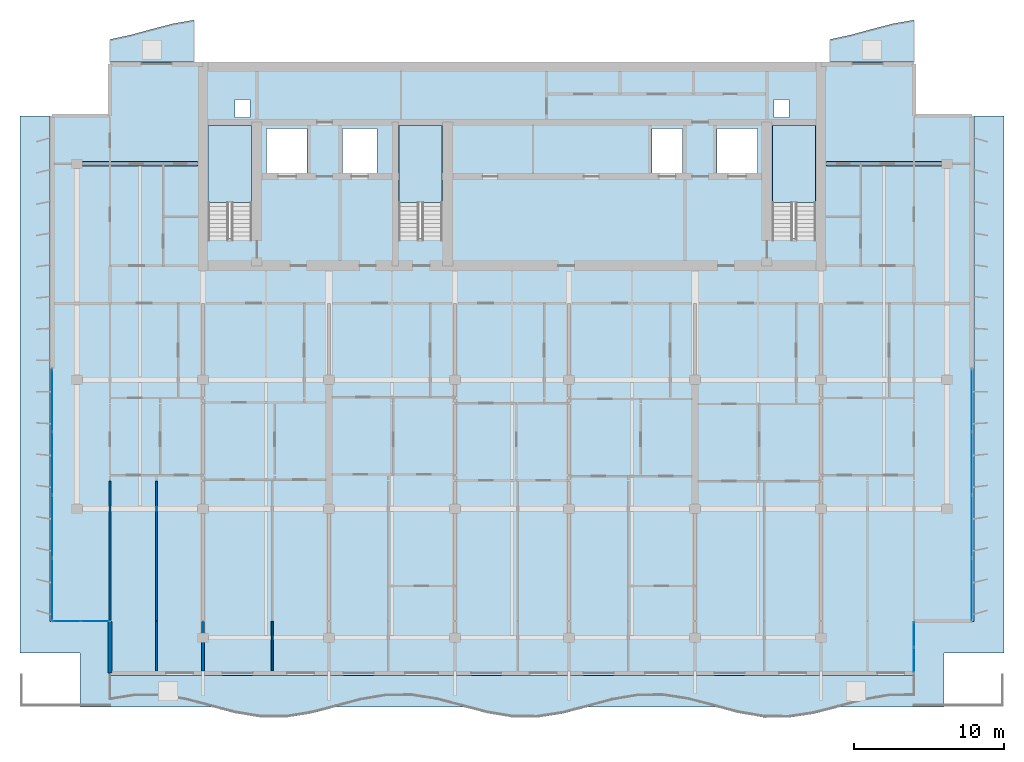
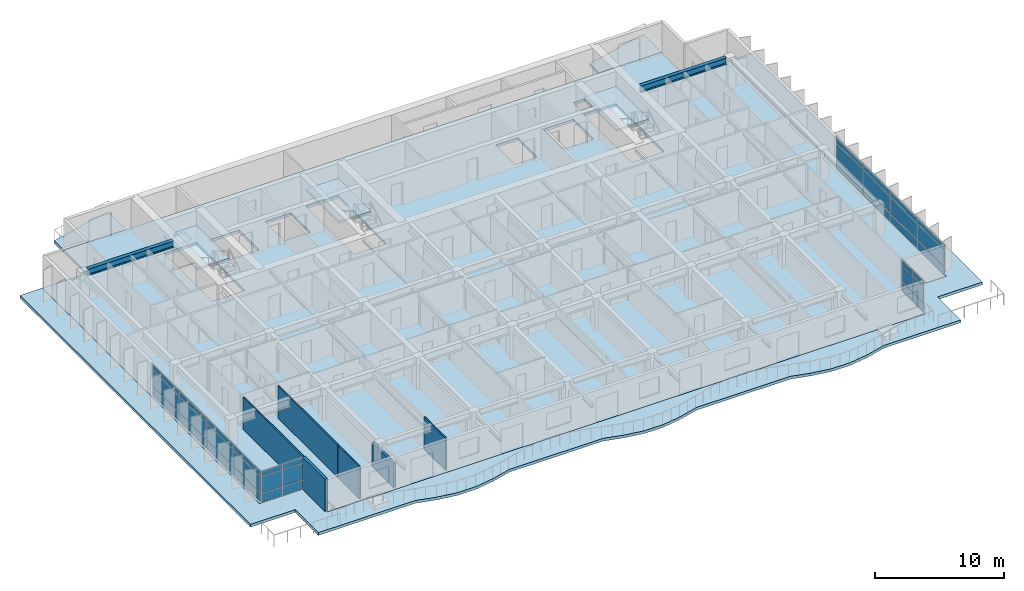
# One storey, part 5 of 17: 36 plates, 7 slabs, 6 walls, 2 beams, 7 elements without a shape of their own.
"""IFC4 building model written with IfcOpenShell, lengths in metres."""

from ifc_helpers import new_model, si_unit, direction, frame, frame_2d, origin, origin_2d, place, context, subcontext, project, spatial, polyline, rectangle, i_section, outline, extrude, material, layer, layer_set, material_profile, profile_set, type_object, element, aggregate, save


model = new_model("IFC4")

# Units and contexts
model_context = context("Model", 3, precision=1e-05, world=origin(), true_north=direction((0.0, 1.0)))
body_context = subcontext(model_context, "Body", "Model", "MODEL_VIEW")
ifc_project = project(units=[si_unit("LENGTHUNIT", "METRE"), si_unit("AREAUNIT", "SQUARE_METRE"), si_unit("VOLUMEUNIT", "CUBIC_METRE"), si_unit("PLANEANGLEUNIT", "RADIAN"), si_unit("MASSUNIT", "GRAM", prefix="KILO")], contexts=[model_context])

# Site, building, storey
site_placement = place(None, origin())
site = spatial("IfcSite", under=ifc_project, at=site_placement, CompositionType="ELEMENT")
building_placement = place(site_placement, origin())
building = spatial("IfcBuilding", under=site, at=building_placement, Name="Caelmar Bay Residences", CompositionType="ELEMENT")
storey_placement = place(building_placement, frame((0.0, 0.0, 226.5)))
storey = spatial("IfcBuildingStorey", under=building, at=storey_placement, Name="L63", CompositionType="ELEMENT", Elevation=226.5)

# Beams
ifc_material_1 = material(Name="Steel ASTM A992 Grade 50", Category="steel")
ifc_material_profile = material_profile(ifc_material_1, i_section(OverallWidth=0.324951171875, OverallDepth=0.616943359375, WebThickness=0.013916015625, FlangeThickness=0.021484375, FilletRadius=0.0126953125, at=origin_2d()), Name="W24X117")
ifc_profile_set = profile_set([ifc_material_profile], Name="Steel ASTM A992 Grade 50")
beam_type = type_object("IfcBeamType", Name="BM-SPN-W24X117", PredefinedType="SPANDREL", material=ifc_profile_set)
beam_1_placement = place(storey_placement, frame((10.264892578125, 43.800048828125, 2.741455078125), z_axis=(1.0, 0.0, 0.0), x_axis=(0.0, 1.0, 0.0)))
element("IfcBeam", 1, at=beam_1_placement, inside=storey, type_object=beam_type, Name="L63 North-West Wing Core Tie Girder", PredefinedType="SPANDREL", context=body_context, shape_type="SweptSolid", body=[
    extrude(i_section(OverallWidth=0.324951171875, OverallDepth=0.616943359375, WebThickness=0.013916015625, FlangeThickness=0.021484375, FilletRadius=0.0126953125, at=origin_2d()), origin(), (0.0, 0.0, 1.0), 7.68505859375),
])
beam_2_placement = place(storey_placement, frame((59.85009765625, 43.800048828125, 2.741455078125), z_axis=(1.0, 0.0, 0.0), x_axis=(0.0, 1.0, 0.0)))
element("IfcBeam", 2, at=beam_2_placement, inside=storey, type_object=beam_type, Name="L63 North-East Wing Core Tie Girder", PredefinedType="SPANDREL", context=body_context, shape_type="SweptSolid", body=[
    extrude(i_section(OverallWidth=0.324951171875, OverallDepth=0.616943359375, WebThickness=0.013916015625, FlangeThickness=0.021484375, FilletRadius=0.0126953125, at=origin_2d()), origin(), (0.0, 0.0, 1.0), 7.684814453125),
])

# Curtain wall, plates
ifc_material_2 = material(Name="Anodised bronze aluminium 6063-T6 and laminated glass", Category="aluminium")
ifc_layer_1 = layer(ifc_material_2, 0.179931640625)
ifc_layer_set_1 = layer_set([ifc_layer_1], Name="Anodised bronze aluminium 6063-T6 and laminated glass")
curtain_wall_type_1 = type_object("IfcCurtainWallType", Name="CW6-NTC", PredefinedType="NOTDEFINED", material=ifc_layer_set_1)
curtain_wall_1_placement = place(storey_placement, origin())
curtain_wall_1 = element("IfcCurtainWall", 3, at=curtain_wall_1_placement, inside=storey, type_object=curtain_wall_type_1, Name="CW6 curtain wall L63", PredefinedType="NOTDEFINED")
ifc_material_3 = material(Name="Bronze-tinted laminated low-E hurricane glass 28 mm", Category="glass")
ifc_layer_2 = layer(ifc_material_3, 0.028076171875)
ifc_layer_set_2 = layer_set([ifc_layer_2], Name="Bronze-tinted laminated low-E hurricane glass 28 mm")
plate_type_1 = type_object("IfcPlateType", Name="CWP-GLZ28", PredefinedType="CURTAIN_PANEL", material=ifc_layer_set_2)
plate_1_placement = place(storey_placement, frame((9.232421875, 13.300048828125, 0.080078125), z_axis=(0.0, 0.0, 1.0), x_axis=(1.0, 0.0, 0.0)))
plate_1 = element("IfcPlate", 4, at=plate_1_placement, type_object=plate_type_1, Name="CW6 panel 1.1", PredefinedType="CURTAIN_PANEL", context=body_context, shape_type="SweptSolid", body=[
    extrude(rectangle(XDim=1.804931640625, YDim=0.028076171875, at=origin_2d()), origin(), (0.0, 0.0, 1.0), 0.780029296875),
])
plate_2_placement = place(storey_placement, frame((9.232421875, 13.300048828125, 0.93994140625), z_axis=(0.0, 0.0, 1.0), x_axis=(1.0, 0.0, 0.0)))
plate_2 = element("IfcPlate", 5, at=plate_2_placement, type_object=plate_type_1, Name="CW6 panel 1.2", PredefinedType="CURTAIN_PANEL", context=body_context, shape_type="SweptSolid", body=[
    extrude(rectangle(XDim=1.804931640625, YDim=0.028076171875, at=origin_2d()), origin(), (0.0, 0.0, 1.0), 1.52001953125),
])
plate_3_placement = place(storey_placement, frame((9.232421875, 13.300048828125, 2.5400390625), z_axis=(0.0, 0.0, 1.0), x_axis=(1.0, 0.0, 0.0)))
plate_3 = element("IfcPlate", 6, at=plate_3_placement, type_object=plate_type_1, Name="CW6 panel 1.3", PredefinedType="CURTAIN_PANEL", context=body_context, shape_type="SweptSolid", body=[
    extrude(rectangle(XDim=1.804931640625, YDim=0.028076171875, at=origin_2d()), origin(), (0.0, 0.0, 1.0), 0.429931640625),
])
plate_4_placement = place(storey_placement, frame((11.117431640625, 13.300048828125, 0.080078125), z_axis=(0.0, 0.0, 1.0), x_axis=(1.0, 0.0, 0.0)))
plate_4 = element("IfcPlate", 7, at=plate_4_placement, type_object=plate_type_1, Name="CW6 panel 2.1", PredefinedType="CURTAIN_PANEL", context=body_context, shape_type="SweptSolid", body=[
    extrude(rectangle(XDim=1.804931640625, YDim=0.028076171875, at=origin_2d()), origin(), (0.0, 0.0, 1.0), 0.780029296875),
])
plate_5_placement = place(storey_placement, frame((11.117431640625, 13.300048828125, 0.93994140625), z_axis=(0.0, 0.0, 1.0), x_axis=(1.0, 0.0, 0.0)))
plate_5 = element("IfcPlate", 8, at=plate_5_placement, type_object=plate_type_1, Name="CW6 panel 2.2", PredefinedType="CURTAIN_PANEL", context=body_context, shape_type="SweptSolid", body=[
    extrude(rectangle(XDim=1.804931640625, YDim=0.028076171875, at=origin_2d()), origin(), (0.0, 0.0, 1.0), 1.52001953125),
])
plate_6_placement = place(storey_placement, frame((11.117431640625, 13.300048828125, 2.5400390625), z_axis=(0.0, 0.0, 1.0), x_axis=(1.0, 0.0, 0.0)))
plate_6 = element("IfcPlate", 9, at=plate_6_placement, type_object=plate_type_1, Name="CW6 panel 2.3", PredefinedType="CURTAIN_PANEL", context=body_context, shape_type="SweptSolid", body=[
    extrude(rectangle(XDim=1.804931640625, YDim=0.028076171875, at=origin_2d()), origin(), (0.0, 0.0, 1.0), 0.429931640625),
])
aggregate(curtain_wall_1, [plate_1, plate_2, plate_3, plate_4, plate_5, plate_6])

curtain_wall_2_placement = place(storey_placement, origin())
curtain_wall_2 = element("IfcCurtainWall", 10, at=curtain_wall_2_placement, inside=storey, type_object=curtain_wall_type_1, Name="CW6 curtain wall L63", PredefinedType="NOTDEFINED")
plate_7_placement = place(storey_placement, frame((65.699951171875, 10.732421875, 0.080078125), z_axis=(0.0, 0.0, 1.0), x_axis=(0.0, 1.0, 0.0)))
plate_7 = element("IfcPlate", 11, at=plate_7_placement, type_object=plate_type_1, Name="CW6 panel 1.1", PredefinedType="CURTAIN_PANEL", context=body_context, shape_type="SweptSolid", body=[
    extrude(rectangle(XDim=1.60498046875, YDim=0.028076171875, at=origin_2d()), origin(), (0.0, 0.0, 1.0), 0.780029296875),
])
plate_8_placement = place(storey_placement, frame((65.699951171875, 10.732421875, 0.93994140625), z_axis=(0.0, 0.0, 1.0), x_axis=(0.0, 1.0, 0.0)))
plate_8 = element("IfcPlate", 12, at=plate_8_placement, type_object=plate_type_1, Name="CW6 panel 1.2", PredefinedType="CURTAIN_PANEL", context=body_context, shape_type="SweptSolid", body=[
    extrude(rectangle(XDim=1.60498046875, YDim=0.028076171875, at=origin_2d()), origin(), (0.0, 0.0, 1.0), 1.52001953125),
])
plate_9_placement = place(storey_placement, frame((65.699951171875, 10.732421875, 2.5400390625), z_axis=(0.0, 0.0, 1.0), x_axis=(0.0, 1.0, 0.0)))
plate_9 = element("IfcPlate", 13, at=plate_9_placement, type_object=plate_type_1, Name="CW6 panel 1.3", PredefinedType="CURTAIN_PANEL", context=body_context, shape_type="SweptSolid", body=[
    extrude(rectangle(XDim=1.60498046875, YDim=0.028076171875, at=origin_2d()), origin(), (0.0, 0.0, 1.0), 0.429931640625),
])
plate_10_placement = place(storey_placement, frame((65.699951171875, 12.41748046875, 0.080078125), z_axis=(0.0, 0.0, 1.0), x_axis=(0.0, 1.0, 0.0)))
plate_10 = element("IfcPlate", 14, at=plate_10_placement, type_object=plate_type_1, Name="CW6 panel 2.1", PredefinedType="CURTAIN_PANEL", context=body_context, shape_type="SweptSolid", body=[
    extrude(rectangle(XDim=1.60498046875, YDim=0.028076171875, at=origin_2d()), origin(), (0.0, 0.0, 1.0), 0.780029296875),
])
plate_11_placement = place(storey_placement, frame((65.699951171875, 12.41748046875, 0.93994140625), z_axis=(0.0, 0.0, 1.0), x_axis=(0.0, 1.0, 0.0)))
plate_11 = element("IfcPlate", 15, at=plate_11_placement, type_object=plate_type_1, Name="CW6 panel 2.2", PredefinedType="CURTAIN_PANEL", context=body_context, shape_type="SweptSolid", body=[
    extrude(rectangle(XDim=1.60498046875, YDim=0.028076171875, at=origin_2d()), origin(), (0.0, 0.0, 1.0), 1.52001953125),
])
plate_12_placement = place(storey_placement, frame((65.699951171875, 12.41748046875, 2.5400390625), z_axis=(0.0, 0.0, 1.0), x_axis=(0.0, 1.0, 0.0)))
plate_12 = element("IfcPlate", 16, at=plate_12_placement, type_object=plate_type_1, Name="CW6 panel 2.3", PredefinedType="CURTAIN_PANEL", context=body_context, shape_type="SweptSolid", body=[
    extrude(rectangle(XDim=1.60498046875, YDim=0.028076171875, at=origin_2d()), origin(), (0.0, 0.0, 1.0), 0.429931640625),
])
aggregate(curtain_wall_2, [plate_7, plate_8, plate_9, plate_10, plate_11, plate_12])

ifc_layer_3 = layer(ifc_material_2, 0.179931640625)
ifc_layer_set_3 = layer_set([ifc_layer_3], Name="Anodised bronze aluminium 6063-T6 and laminated glass")
curtain_wall_type_2 = type_object("IfcCurtainWallType", Name="CW5-Z4", PredefinedType="NOTDEFINED", material=ifc_layer_set_3)
curtain_wall_3_placement = place(storey_placement, origin())
curtain_wall_3 = element("IfcCurtainWall", 17, at=curtain_wall_3_placement, inside=storey, type_object=curtain_wall_type_2, Name="CW5 curtain wall L63", PredefinedType="NOTDEFINED")
ifc_material_4 = material(Name="Bronze-tinted laminated low-E hurricane glass 32 mm", Category="glass")
ifc_layer_4 = layer(ifc_material_4, 0.031982421875)
ifc_layer_set_4 = layer_set([ifc_layer_4], Name="Bronze-tinted laminated low-E hurricane glass 32 mm")
plate_type_2 = type_object("IfcPlateType", Name="CWP-GLZ32", PredefinedType="CURTAIN_PANEL", material=ifc_layer_set_4)
plate_13_placement = place(storey_placement, frame((8.25, 15.42626953125, 0.080078125), z_axis=(0.0, 0.0, 1.0), x_axis=(0.0, 1.0, 0.0)))
plate_13 = element("IfcPlate", 18, at=plate_13_placement, type_object=plate_type_2, Name="CW5 panel 1.1", PredefinedType="CURTAIN_PANEL", context=body_context, shape_type="SweptSolid", body=[
    extrude(rectangle(XDim=4.092529296875, YDim=0.031982421875, at=origin_2d()), origin(), (0.0, 0.0, 1.0), 0.780029296875),
])
plate_14_placement = place(storey_placement, frame((8.25, 15.42626953125, 0.93994140625), z_axis=(0.0, 0.0, 1.0), x_axis=(0.0, 1.0, 0.0)))
plate_14 = element("IfcPlate", 19, at=plate_14_placement, type_object=plate_type_2, Name="CW5 panel 1.2", PredefinedType="CURTAIN_PANEL", context=body_context, shape_type="SweptSolid", body=[
    extrude(rectangle(XDim=4.092529296875, YDim=0.031982421875, at=origin_2d()), origin(), (0.0, 0.0, 1.0), 1.52001953125),
])
plate_15_placement = place(storey_placement, frame((8.25, 15.42626953125, 2.5400390625), z_axis=(0.0, 0.0, 1.0), x_axis=(0.0, 1.0, 0.0)))
plate_15 = element("IfcPlate", 20, at=plate_15_placement, type_object=plate_type_2, Name="CW5 panel 1.3", PredefinedType="CURTAIN_PANEL", context=body_context, shape_type="SweptSolid", body=[
    extrude(rectangle(XDim=4.092529296875, YDim=0.031982421875, at=origin_2d()), origin(), (0.0, 0.0, 1.0), 0.429931640625),
])
plate_16_placement = place(storey_placement, frame((8.25, 19.61865234375, 0.080078125), z_axis=(0.0, 0.0, 1.0), x_axis=(0.0, 1.0, 0.0)))
plate_16 = element("IfcPlate", 21, at=plate_16_placement, type_object=plate_type_2, Name="CW5 panel 2.1", PredefinedType="CURTAIN_PANEL", context=body_context, shape_type="SweptSolid", body=[
    extrude(rectangle(XDim=4.132568359375, YDim=0.031982421875, at=origin_2d()), origin(), (0.0, 0.0, 1.0), 0.780029296875),
])
plate_17_placement = place(storey_placement, frame((8.25, 19.61865234375, 0.93994140625), z_axis=(0.0, 0.0, 1.0), x_axis=(0.0, 1.0, 0.0)))
plate_17 = element("IfcPlate", 22, at=plate_17_placement, type_object=plate_type_2, Name="CW5 panel 2.2", PredefinedType="CURTAIN_PANEL", context=body_context, shape_type="SweptSolid", body=[
    extrude(rectangle(XDim=4.132568359375, YDim=0.031982421875, at=origin_2d()), origin(), (0.0, 0.0, 1.0), 1.52001953125),
])
plate_18_placement = place(storey_placement, frame((8.25, 19.61865234375, 2.5400390625), z_axis=(0.0, 0.0, 1.0), x_axis=(0.0, 1.0, 0.0)))
plate_18 = element("IfcPlate", 23, at=plate_18_placement, type_object=plate_type_2, Name="CW5 panel 2.3", PredefinedType="CURTAIN_PANEL", context=body_context, shape_type="SweptSolid", body=[
    extrude(rectangle(XDim=4.132568359375, YDim=0.031982421875, at=origin_2d()), origin(), (0.0, 0.0, 1.0), 0.429931640625),
])
plate_19_placement = place(storey_placement, frame((8.25, 23.831298828125, 0.080078125), z_axis=(0.0, 0.0, 1.0), x_axis=(0.0, 1.0, 0.0)))
plate_19 = element("IfcPlate", 24, at=plate_19_placement, type_object=plate_type_2, Name="CW5 panel 3.1", PredefinedType="CURTAIN_PANEL", context=body_context, shape_type="SweptSolid", body=[
    extrude(rectangle(XDim=4.132568359375, YDim=0.031982421875, at=origin_2d()), origin(), (0.0, 0.0, 1.0), 0.780029296875),
])
plate_20_placement = place(storey_placement, frame((8.25, 23.831298828125, 0.93994140625), z_axis=(0.0, 0.0, 1.0), x_axis=(0.0, 1.0, 0.0)))
plate_20 = element("IfcPlate", 25, at=plate_20_placement, type_object=plate_type_2, Name="CW5 panel 3.2", PredefinedType="CURTAIN_PANEL", context=body_context, shape_type="SweptSolid", body=[
    extrude(rectangle(XDim=4.132568359375, YDim=0.031982421875, at=origin_2d()), origin(), (0.0, 0.0, 1.0), 1.52001953125),
])
plate_21_placement = place(storey_placement, frame((8.25, 23.831298828125, 2.5400390625), z_axis=(0.0, 0.0, 1.0), x_axis=(0.0, 1.0, 0.0)))
plate_21 = element("IfcPlate", 26, at=plate_21_placement, type_object=plate_type_2, Name="CW5 panel 3.3", PredefinedType="CURTAIN_PANEL", context=body_context, shape_type="SweptSolid", body=[
    extrude(rectangle(XDim=4.132568359375, YDim=0.031982421875, at=origin_2d()), origin(), (0.0, 0.0, 1.0), 0.429931640625),
])
plate_22_placement = place(storey_placement, frame((8.25, 28.023681640625, 0.080078125), z_axis=(0.0, 0.0, 1.0), x_axis=(0.0, 1.0, 0.0)))
plate_22 = element("IfcPlate", 27, at=plate_22_placement, type_object=plate_type_2, Name="CW5 panel 4.1", PredefinedType="CURTAIN_PANEL", context=body_context, shape_type="SweptSolid", body=[
    extrude(rectangle(XDim=4.092529296875, YDim=0.031982421875, at=origin_2d()), origin(), (0.0, 0.0, 1.0), 0.780029296875),
])
plate_23_placement = place(storey_placement, frame((8.25, 28.023681640625, 0.93994140625), z_axis=(0.0, 0.0, 1.0), x_axis=(0.0, 1.0, 0.0)))
plate_23 = element("IfcPlate", 28, at=plate_23_placement, type_object=plate_type_2, Name="CW5 panel 4.2", PredefinedType="CURTAIN_PANEL", context=body_context, shape_type="SweptSolid", body=[
    extrude(rectangle(XDim=4.092529296875, YDim=0.031982421875, at=origin_2d()), origin(), (0.0, 0.0, 1.0), 1.52001953125),
])
plate_24_placement = place(storey_placement, frame((8.25, 28.023681640625, 2.5400390625), z_axis=(0.0, 0.0, 1.0), x_axis=(0.0, 1.0, 0.0)))
plate_24 = element("IfcPlate", 29, at=plate_24_placement, type_object=plate_type_2, Name="CW5 panel 4.3", PredefinedType="CURTAIN_PANEL", context=body_context, shape_type="SweptSolid", body=[
    extrude(rectangle(XDim=4.092529296875, YDim=0.031982421875, at=origin_2d()), origin(), (0.0, 0.0, 1.0), 0.429931640625),
])
aggregate(curtain_wall_3, [plate_13, plate_14, plate_15, plate_16, plate_17, plate_18, plate_19, plate_20, plate_21, plate_22, plate_23, plate_24])

curtain_wall_4_placement = place(storey_placement, origin())
curtain_wall_4 = element("IfcCurtainWall", 30, at=curtain_wall_4_placement, inside=storey, type_object=curtain_wall_type_2, Name="CW5 curtain wall L63", PredefinedType="NOTDEFINED")
plate_25_placement = place(storey_placement, frame((69.550048828125, 28.023681640625, 0.080078125), z_axis=(0.0, 0.0, 1.0), x_axis=(0.0, -1.0, 0.0)))
plate_25 = element("IfcPlate", 31, at=plate_25_placement, type_object=plate_type_2, Name="CW5 panel 1.1", PredefinedType="CURTAIN_PANEL", context=body_context, shape_type="SweptSolid", body=[
    extrude(rectangle(XDim=4.092529296875, YDim=0.031982421875, at=origin_2d()), origin(), (0.0, 0.0, 1.0), 0.780029296875),
])
plate_26_placement = place(storey_placement, frame((69.550048828125, 28.023681640625, 0.93994140625), z_axis=(0.0, 0.0, 1.0), x_axis=(0.0, -1.0, 0.0)))
plate_26 = element("IfcPlate", 32, at=plate_26_placement, type_object=plate_type_2, Name="CW5 panel 1.2", PredefinedType="CURTAIN_PANEL", context=body_context, shape_type="SweptSolid", body=[
    extrude(rectangle(XDim=4.092529296875, YDim=0.031982421875, at=origin_2d()), origin(), (0.0, 0.0, 1.0), 1.52001953125),
])
plate_27_placement = place(storey_placement, frame((69.550048828125, 28.023681640625, 2.5400390625), z_axis=(0.0, 0.0, 1.0), x_axis=(0.0, -1.0, 0.0)))
plate_27 = element("IfcPlate", 33, at=plate_27_placement, type_object=plate_type_2, Name="CW5 panel 1.3", PredefinedType="CURTAIN_PANEL", context=body_context, shape_type="SweptSolid", body=[
    extrude(rectangle(XDim=4.092529296875, YDim=0.031982421875, at=origin_2d()), origin(), (0.0, 0.0, 1.0), 0.429931640625),
])
plate_28_placement = place(storey_placement, frame((69.550048828125, 23.831298828125, 0.080078125), z_axis=(0.0, 0.0, 1.0), x_axis=(0.0, -1.0, 0.0)))
plate_28 = element("IfcPlate", 34, at=plate_28_placement, type_object=plate_type_2, Name="CW5 panel 2.1", PredefinedType="CURTAIN_PANEL", context=body_context, shape_type="SweptSolid", body=[
    extrude(rectangle(XDim=4.132568359375, YDim=0.031982421875, at=origin_2d()), origin(), (0.0, 0.0, 1.0), 0.780029296875),
])
plate_29_placement = place(storey_placement, frame((69.550048828125, 23.831298828125, 0.93994140625), z_axis=(0.0, 0.0, 1.0), x_axis=(0.0, -1.0, 0.0)))
plate_29 = element("IfcPlate", 35, at=plate_29_placement, type_object=plate_type_2, Name="CW5 panel 2.2", PredefinedType="CURTAIN_PANEL", context=body_context, shape_type="SweptSolid", body=[
    extrude(rectangle(XDim=4.132568359375, YDim=0.031982421875, at=origin_2d()), origin(), (0.0, 0.0, 1.0), 1.52001953125),
])
plate_30_placement = place(storey_placement, frame((69.550048828125, 23.831298828125, 2.5400390625), z_axis=(0.0, 0.0, 1.0), x_axis=(0.0, -1.0, 0.0)))
plate_30 = element("IfcPlate", 36, at=plate_30_placement, type_object=plate_type_2, Name="CW5 panel 2.3", PredefinedType="CURTAIN_PANEL", context=body_context, shape_type="SweptSolid", body=[
    extrude(rectangle(XDim=4.132568359375, YDim=0.031982421875, at=origin_2d()), origin(), (0.0, 0.0, 1.0), 0.429931640625),
])
plate_31_placement = place(storey_placement, frame((69.550048828125, 19.61865234375, 0.080078125), z_axis=(0.0, 0.0, 1.0), x_axis=(0.0, -1.0, 0.0)))
plate_31 = element("IfcPlate", 37, at=plate_31_placement, type_object=plate_type_2, Name="CW5 panel 3.1", PredefinedType="CURTAIN_PANEL", context=body_context, shape_type="SweptSolid", body=[
    extrude(rectangle(XDim=4.132568359375, YDim=0.031982421875, at=origin_2d()), origin(), (0.0, 0.0, 1.0), 0.780029296875),
])
plate_32_placement = place(storey_placement, frame((69.550048828125, 19.61865234375, 0.93994140625), z_axis=(0.0, 0.0, 1.0), x_axis=(0.0, -1.0, 0.0)))
plate_32 = element("IfcPlate", 38, at=plate_32_placement, type_object=plate_type_2, Name="CW5 panel 3.2", PredefinedType="CURTAIN_PANEL", context=body_context, shape_type="SweptSolid", body=[
    extrude(rectangle(XDim=4.132568359375, YDim=0.031982421875, at=origin_2d()), origin(), (0.0, 0.0, 1.0), 1.52001953125),
])
plate_33_placement = place(storey_placement, frame((69.550048828125, 19.61865234375, 2.5400390625), z_axis=(0.0, 0.0, 1.0), x_axis=(0.0, -1.0, 0.0)))
plate_33 = element("IfcPlate", 39, at=plate_33_placement, type_object=plate_type_2, Name="CW5 panel 3.3", PredefinedType="CURTAIN_PANEL", context=body_context, shape_type="SweptSolid", body=[
    extrude(rectangle(XDim=4.132568359375, YDim=0.031982421875, at=origin_2d()), origin(), (0.0, 0.0, 1.0), 0.429931640625),
])
plate_34_placement = place(storey_placement, frame((69.550048828125, 15.42626953125, 0.080078125), z_axis=(0.0, 0.0, 1.0), x_axis=(0.0, -1.0, 0.0)))
plate_34 = element("IfcPlate", 40, at=plate_34_placement, type_object=plate_type_2, Name="CW5 panel 4.1", PredefinedType="CURTAIN_PANEL", context=body_context, shape_type="SweptSolid", body=[
    extrude(rectangle(XDim=4.092529296875, YDim=0.031982421875, at=origin_2d()), origin(), (0.0, 0.0, 1.0), 0.780029296875),
])
plate_35_placement = place(storey_placement, frame((69.550048828125, 15.42626953125, 0.93994140625), z_axis=(0.0, 0.0, 1.0), x_axis=(0.0, -1.0, 0.0)))
plate_35 = element("IfcPlate", 41, at=plate_35_placement, type_object=plate_type_2, Name="CW5 panel 4.2", PredefinedType="CURTAIN_PANEL", context=body_context, shape_type="SweptSolid", body=[
    extrude(rectangle(XDim=4.092529296875, YDim=0.031982421875, at=origin_2d()), origin(), (0.0, 0.0, 1.0), 1.52001953125),
])
plate_36_placement = place(storey_placement, frame((69.550048828125, 15.42626953125, 2.5400390625), z_axis=(0.0, 0.0, 1.0), x_axis=(0.0, -1.0, 0.0)))
plate_36 = element("IfcPlate", 42, at=plate_36_placement, type_object=plate_type_2, Name="CW5 panel 4.3", PredefinedType="CURTAIN_PANEL", context=body_context, shape_type="SweptSolid", body=[
    extrude(rectangle(XDim=4.092529296875, YDim=0.031982421875, at=origin_2d()), origin(), (0.0, 0.0, 1.0), 0.429931640625),
])
aggregate(curtain_wall_4, [plate_25, plate_26, plate_27, plate_28, plate_29, plate_30, plate_31, plate_32, plate_33, plate_34, plate_35, plate_36])

# Stair, slab
ifc_material_5 = material(Name="Concrete f'c 40 MPa (6,000 psi)", Category="concrete")
stair_type = type_object("IfcStairType", Name="ST-TYP-165", PredefinedType="HALF_TURN_STAIR", material=ifc_material_5)
stair_1_placement = place(storey_placement, origin())
stair_1 = element("IfcStair", 43, at=stair_1_placement, inside=storey, type_object=stair_type, Name="L63 West Smokeproof Exit Stair ST1", PredefinedType="HALF_TURN_STAIR")
ifc_layer_5 = layer(ifc_material_5, 0.199951171875)
ifc_layer_set_5 = layer_set([ifc_layer_5], Name="Concrete f'c 40 MPa (6,000 psi)")
slab_type_1 = type_object("IfcSlabType", Name="SLB-LND-200", PredefinedType="LANDING", material=ifc_layer_set_5)
slab_1_placement = place(storey_placement, frame((0.0, 0.0, 1.449951171875)))
slab_1 = element("IfcSlab", 44, at=slab_1_placement, type_object=slab_type_1, Name="ST1 landing 1", PredefinedType="LANDING", context=body_context, shape_type="SweptSolid", body=[
    extrude(outline(polyline([(21.550048828125, 41.219970703125), (21.550048828125, 46.35009765625), (18.64990234375, 46.35009765625), (18.64990234375, 41.219970703125), (21.550048828125, 41.219970703125)])), origin(), (0.0, 0.0, 1.0), 0.199951171875),
])
aggregate(stair_1, [slab_1])

stair_2_placement = place(storey_placement, origin())
stair_2 = element("IfcStair", 45, at=stair_2_placement, inside=storey, type_object=stair_type, Name="L63 East Smokeproof Exit Stair ST2", PredefinedType="HALF_TURN_STAIR")
slab_2_placement = place(storey_placement, frame((0.0, 0.0, 1.449951171875)))
slab_2 = element("IfcSlab", 46, at=slab_2_placement, type_object=slab_type_1, Name="ST2 landing 1", PredefinedType="LANDING", context=body_context, shape_type="SweptSolid", body=[
    extrude(outline(polyline([(59.14990234375, 41.219970703125), (59.14990234375, 46.35009765625), (56.25, 46.35009765625), (56.25, 41.219970703125), (59.14990234375, 41.219970703125)])), origin(), (0.0, 0.0, 1.0), 0.199951171875),
])
aggregate(stair_2, [slab_2])

stair_3_placement = place(storey_placement, origin())
stair_3 = element("IfcStair", 47, at=stair_3_placement, inside=storey, type_object=stair_type, Name="L63 Central Smokeproof Exit Stair ST3", PredefinedType="HALF_TURN_STAIR")
slab_3_placement = place(storey_placement, frame((0.0, 0.0, 1.449951171875)))
slab_3 = element("IfcSlab", 48, at=slab_3_placement, type_object=slab_type_1, Name="ST3 landing 1", PredefinedType="LANDING", context=body_context, shape_type="SweptSolid", body=[
    extrude(outline(polyline([(34.25, 41.219970703125), (34.25, 46.35009765625), (31.35009765625, 46.35009765625), (31.35009765625, 41.219970703125), (34.25, 41.219970703125)])), origin(), (0.0, 0.0, 1.0), 0.199951171875),
])
aggregate(stair_3, [slab_3])

# Slabs
ifc_layer_6 = layer(ifc_material_5, 0.25)
ifc_layer_set_6 = layer_set([ifc_layer_6], Name="Concrete f'c 40 MPa (6,000 psi)")
slab_type_2 = type_object("IfcSlabType", Name="SLB-RES-250", PredefinedType="FLOOR", material=ifc_layer_set_6)
slab_4_placement = place(storey_placement, frame((0.0, 0.0, -0.25)))
element("IfcSlab", 49, at=slab_4_placement, inside=storey, type_object=slab_type_2, Name="L63 Structural Floor Slab", PredefinedType="FLOOR", context=body_context, shape_type="SweptSolid", body=[
    extrude(outline(polyline([(12.10009765625, 9.699951171875), (65.699951171875, 9.699951171875), (65.699951171875, 13.300048828125), (69.699951171875, 13.300048828125), (69.699951171875, 47.0), (65.699951171875, 47.0), (65.699951171875, 50.60009765625), (12.10009765625, 50.60009765625), (12.10009765625, 47.0), (8.10009765625, 47.0), (8.10009765625, 13.300048828125), (12.10009765625, 13.300048828125), (12.10009765625, 9.699951171875)]), holes=[polyline([(18.64990234375, 38.85009765625), (21.550048828125, 38.85009765625), (21.550048828125, 46.35009765625), (18.64990234375, 46.35009765625), (18.64990234375, 38.85009765625)]), polyline([(56.25, 38.85009765625), (59.14990234375, 38.85009765625), (59.14990234375, 46.35009765625), (56.25, 46.35009765625), (56.25, 38.85009765625)]), polyline([(31.35009765625, 38.85009765625), (34.25, 38.85009765625), (34.25, 46.35009765625), (31.35009765625, 46.35009765625), (31.35009765625, 38.85009765625)]), polyline([(22.550048828125, 43.050048828125), (25.25, 43.050048828125), (25.25, 46.14990234375), (22.550048828125, 46.14990234375), (22.550048828125, 43.050048828125)]), polyline([(52.550048828125, 43.050048828125), (55.25, 43.050048828125), (55.25, 46.14990234375), (52.550048828125, 46.14990234375), (52.550048828125, 43.050048828125)]), polyline([(48.25, 43.14990234375), (50.25, 43.14990234375), (50.25, 46.14990234375), (48.25, 46.14990234375), (48.25, 43.14990234375)]), polyline([(27.60009765625, 43.14990234375), (29.89990234375, 43.14990234375), (29.89990234375, 46.14990234375), (27.60009765625, 46.14990234375), (27.60009765625, 43.14990234375)]), polyline([(20.449951171875, 46.89990234375), (21.449951171875, 46.89990234375), (21.449951171875, 48.10009765625), (20.449951171875, 48.10009765625), (20.449951171875, 46.89990234375)]), polyline([(56.35009765625, 46.89990234375), (57.35009765625, 46.89990234375), (57.35009765625, 48.10009765625), (56.35009765625, 48.10009765625), (56.35009765625, 46.89990234375)])]), origin(), (0.0, 0.0, 1.0), 0.25),
])
ifc_layer_7 = layer(ifc_material_5, 0.260009765625)
ifc_layer_set_7 = layer_set([ifc_layer_7], Name="Concrete f'c 40 MPa (6,000 psi)")
slab_type_3 = type_object("IfcSlabType", Name="SLB-TER-260", PredefinedType="ROOF", material=ifc_layer_set_7)
slab_5_placement = place(storey_placement, frame((0.0, 0.0, -0.260009765625)))
element("IfcSlab", 50, at=slab_5_placement, inside=storey, type_object=slab_type_3, Name="L63 Exterior Stepped Terrace Roof Slab 1", PredefinedType="ROOF", context=body_context, shape_type="SweptSolid", body=[
    extrude(outline(polyline([(25.5, 7.150146484375), (27.175048828125, 7.58740234375), (27.22265625, 7.60009765625), (35.6240234375, 7.60009765625), (37.22509765625, 7.176513671875), (38.89990234375, 6.89404296875), (40.574951171875, 6.879638671875), (42.25, 7.138916015625), (43.925048828125, 7.573486328125), (44.025390625, 7.60009765625), (52.42626953125, 7.60009765625), (53.97509765625, 7.18798828125), (55.64990234375, 6.898681640625), (57.324951171875, 6.8759765625), (59.0, 7.1279296875), (60.675048828125, 7.559326171875), (60.82763671875, 7.60009765625), (67.699951171875, 7.60009765625), (67.699951171875, 11.199951171875), (71.699951171875, 11.199951171875), (71.699951171875, 47.0), (69.699951171875, 47.0), (69.699951171875, 13.300048828125), (65.699951171875, 13.300048828125), (65.699951171875, 9.699951171875), (12.10009765625, 9.699951171875), (12.10009765625, 13.300048828125), (8.10009765625, 13.300048828125), (8.10009765625, 47.0), (6.10009765625, 47.0), (6.10009765625, 11.199951171875), (10.10009765625, 11.199951171875), (10.10009765625, 7.60009765625), (18.8212890625, 7.60009765625), (20.47509765625, 7.164794921875), (22.14990234375, 6.889404296875), (23.824951171875, 6.8837890625), (25.5, 7.150146484375)])), origin(), (0.0, 0.0, 1.0), 0.260009765625),
])
slab_6_placement = place(storey_placement, frame((0.0, 0.0, -0.260009765625)))
element("IfcSlab", 51, at=slab_6_placement, inside=storey, type_object=slab_type_3, Name="L63 Exterior Stepped Terrace Roof Slab 2", PredefinedType="ROOF", context=body_context, shape_type="SweptSolid", body=[
    extrude(outline(polyline([(12.10009765625, 50.60009765625), (17.699951171875, 50.60009765625), (17.699951171875, 53.38525390625), (16.300048828125, 53.140869140625), (14.89990234375, 52.7783203125), (13.5, 52.39501953125), (12.10009765625, 52.09326171875), (12.10009765625, 50.60009765625)])), origin(), (0.0, 0.0, 1.0), 0.260009765625),
])
slab_7_placement = place(storey_placement, frame((0.0, 0.0, -0.260009765625)))
element("IfcSlab", 52, at=slab_7_placement, inside=storey, type_object=slab_type_3, Name="L63 Exterior Stepped Terrace Roof Slab 3", PredefinedType="ROOF", context=body_context, shape_type="SweptSolid", body=[
    extrude(outline(polyline([(60.10009765625, 50.60009765625), (65.699951171875, 50.60009765625), (65.699951171875, 53.38525390625), (64.300048828125, 53.140869140625), (62.89990234375, 52.7783203125), (61.5, 52.39501953125), (60.10009765625, 52.09326171875), (60.10009765625, 50.60009765625)])), origin(), (0.0, 0.0, 1.0), 0.260009765625),
])

# Walls
ifc_material_6 = material(Name="Precast concrete f'c 40 MPa (6,000 psi)", Category="concrete")
ifc_layer_8 = layer(ifc_material_6, 0.25)
ifc_layer_set_8 = layer_set([ifc_layer_8], Name="Precast concrete f'c 40 MPa (6,000 psi)")
wall_type_1 = type_object("IfcWallType", Name="W-EXT-250", PredefinedType="ELEMENTEDWALL", material=ifc_layer_set_8)
wall_1_placement = place(storey_placement, frame((12.10009765625, 13.300048828125, 0.0), z_axis=(0.0, 0.0, 1.0), x_axis=(0.0, -1.0, 0.0)))
element("IfcWall", 53, at=wall_1_placement, inside=storey, type_object=wall_type_1, Name="L63 SW Notch Return Wall", PredefinedType="ELEMENTEDWALL", context=body_context, shape_type="SweptSolid", body=[
    extrude(rectangle(XDim=3.449951171875, YDim=0.25, at=frame_2d((1.72509765625, 0.0))), origin(), (0.0, 0.0, 1.0), 3.050048828125),
])
ifc_material_7 = material(Name="Acoustic metal-stud gypsum partition 120 mm")
ifc_layer_9 = layer(ifc_material_7, 0.1201171875)
ifc_layer_set_9 = layer_set([ifc_layer_9], Name="Acoustic metal-stud gypsum partition 120 mm")
wall_type_2 = type_object("IfcWallType", Name="W-PRT-120", PredefinedType="PARTITIONING", material=ifc_layer_set_9)
wall_2_placement = place(storey_placement, frame((12.10009765625, 13.385009765625, 0.0), z_axis=(0.0, 0.0, 1.0), x_axis=(0.0, 1.0, 0.0)))
element("IfcWall", 54, at=wall_2_placement, inside=storey, type_object=wall_type_2, Name="L63 Partition Wall V001", PredefinedType="PARTITIONING", context=body_context, shape_type="SweptSolid", body=[
    extrude(rectangle(XDim=9.244873046875, YDim=0.1201171875, at=frame_2d((4.62255859375, 0.0))), origin(), (0.0, 0.0, 1.0), 3.050048828125),
])
wall_3_placement = place(storey_placement, frame((15.199951171875, 9.9951171875, 0.0), z_axis=(0.0, 0.0, 1.0), x_axis=(0.0, 1.0, 0.0)))
element("IfcWall", 55, at=wall_3_placement, inside=storey, type_object=wall_type_2, Name="L63 Partition Wall V008", PredefinedType="PARTITIONING", context=body_context, shape_type="SweptSolid", body=[
    extrude(rectangle(XDim=3.304931640625, YDim=0.1201171875, at=frame_2d((1.65234375, 0.0))), origin(), (0.0, 0.0, 1.0), 3.050048828125),
])
wall_4_placement = place(storey_placement, frame((15.199951171875, 13.340087890625, 0.0), z_axis=(0.0, 0.0, 1.0), x_axis=(0.0, 1.0, 0.0)))
element("IfcWall", 56, at=wall_4_placement, inside=storey, type_object=wall_type_2, Name="L63 Partition Wall V009", PredefinedType="PARTITIONING", context=body_context, shape_type="SweptSolid", body=[
    extrude(rectangle(XDim=9.289794921875, YDim=0.1201171875, at=frame_2d((4.64501953125, 0.0))), origin(), (0.0, 0.0, 1.0), 3.050048828125),
])
wall_5_placement = place(storey_placement, frame((22.919921875, 9.9951171875, 0.0), z_axis=(0.0, 0.0, 1.0), x_axis=(0.0, 1.0, 0.0)))
element("IfcWall", 57, at=wall_5_placement, inside=storey, type_object=wall_type_2, Name="L63 Partition Wall V022", PredefinedType="PARTITIONING", context=body_context, shape_type="SweptSolid", body=[
    extrude(rectangle(XDim=3.304931640625, YDim=0.1201171875, at=frame_2d((1.65234375, 0.0))), origin(), (0.0, 0.0, 1.0), 3.050048828125),
])
ifc_material_8 = material(Name="Acoustic twin-stud fire-rated inter-tenancy partition 200 mm")
ifc_layer_10 = layer(ifc_material_8, 0.199951171875)
ifc_layer_set_10 = layer_set([ifc_layer_10], Name="Acoustic twin-stud fire-rated inter-tenancy partition 200 mm")
wall_type_3 = type_object("IfcWallType", Name="W-PTY-200", PredefinedType="PARTITIONING", material=ifc_layer_set_10)
wall_6_placement = place(storey_placement, frame((18.300048828125, 9.9951171875, 0.0), z_axis=(0.0, 0.0, 1.0), x_axis=(0.0, 1.0, 0.0)))
element("IfcWall", 58, at=wall_6_placement, inside=storey, type_object=wall_type_3, Name="L63 Partition Wall V015", PredefinedType="PARTITIONING", context=body_context, shape_type="SweptSolid", body=[
    extrude(rectangle(XDim=3.304931640625, YDim=0.199951171875, at=frame_2d((1.65234375, 0.0))), origin(), (0.0, 0.0, 1.0), 2.262939453125),
])

save(model, "model.ifc")
